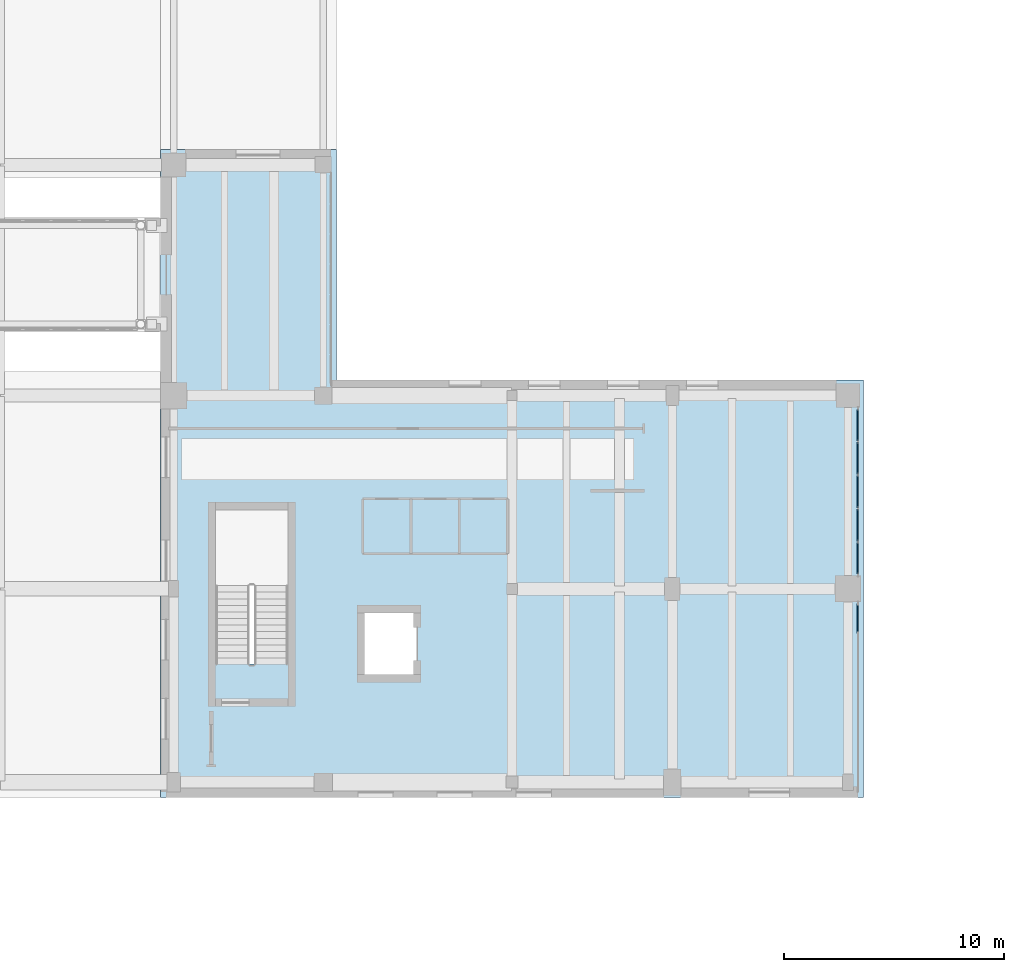
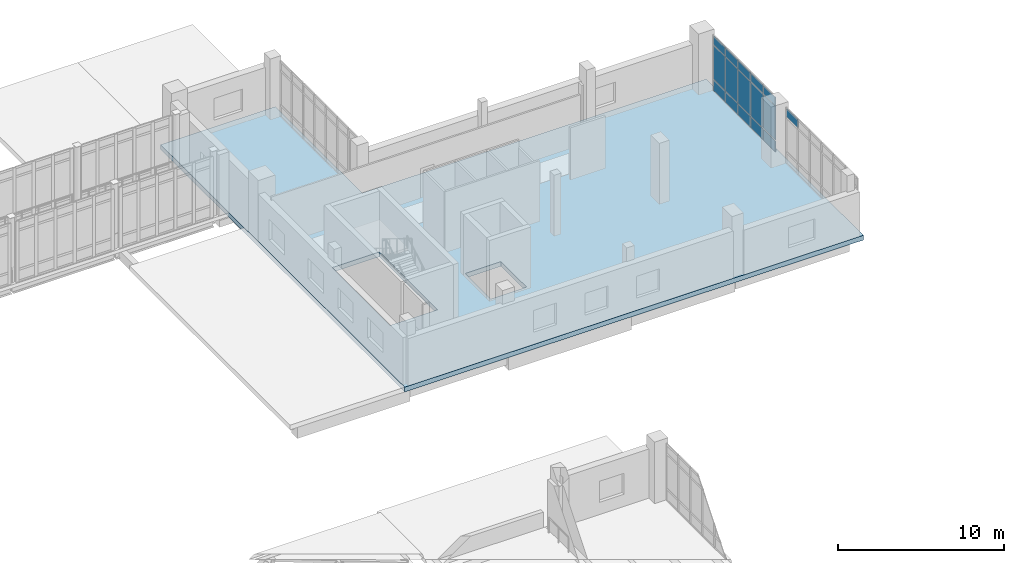
# One storey, part 45 of 75: 16 plates, 1 slab, 2 elements without a shape of their own.
"""IFC4 building model written with IfcOpenShell, lengths in metres."""

from ifc_helpers import new_model, si_unit, direction, frame, origin, origin_2d, place, context, subcontext, project, spatial, polyline, rectangle, outline, extrude, material, layer, layer_set, type_object, element, aggregate, save


model = new_model("IFC4")

# Units and contexts
model_context = context("Model", 3, precision=1e-05, world=origin(), true_north=direction((0.0, 1.0)))
body_context = subcontext(model_context, "Body", "Model", "MODEL_VIEW")
ifc_project = project(units=[si_unit("LENGTHUNIT", "METRE"), si_unit("AREAUNIT", "SQUARE_METRE"), si_unit("VOLUMEUNIT", "CUBIC_METRE"), si_unit("PLANEANGLEUNIT", "RADIAN"), si_unit("MASSUNIT", "GRAM", prefix="KILO")], contexts=[model_context])

# Site, building, storey
site_placement = place(None, origin())
site = spatial("IfcSite", under=ifc_project, at=site_placement, CompositionType="ELEMENT")
building_placement = place(site_placement, origin())
building = spatial("IfcBuilding", under=site, at=building_placement, Name="Soyqirgoq Riverine Aquarium", CompositionType="ELEMENT")
storey_placement = place(building_placement, frame((0.0, 0.0, 10.199951171875)))
storey = spatial("IfcBuildingStorey", under=building, at=storey_placement, Name="L03", CompositionType="ELEMENT", Elevation=10.199951171875)

# Curtain wall, plates
ifc_material_1 = material(Name="Anodised aluminium thermally broken gallery curtain wall", Category="aluminium")
curtain_wall_type = type_object("IfcCurtainWallType", Name="CW_Pavilion_Ribbon", PredefinedType="NOTDEFINED", material=ifc_material_1)
curtain_wall_1_placement = place(storey_placement, origin())
curtain_wall_1 = element("IfcCurtainWall", 1, at=curtain_wall_1_placement, inside=storey, type_object=curtain_wall_type, Name="V7 L03 Curtain Wall 133", PredefinedType="NOTDEFINED")
ifc_material_2 = material(Name="Triple insulated laminated low-E glass", Category="glass")
ifc_layer_1 = layer(ifc_material_2, 0.0458984375)
ifc_layer_set_1 = layer_set([ifc_layer_1], Name="Triple insulated laminated low-E glass")
plate_type = type_object("IfcPlateType", Name="CWGlazedPanel_46", PredefinedType="CURTAIN_PANEL", material=ifc_layer_set_1)
plate_1_placement = place(storey_placement, frame((153.75, 72.95263671875, 0.074951171875), z_axis=(0.0, 0.0, 1.0), x_axis=(0.0, -1.0, 0.0)))
plate_1 = element("IfcPlate", 2, at=plate_1_placement, type_object=plate_type, Name="CW-05 panel 1.1", PredefinedType="CURTAIN_PANEL", context=body_context, shape_type="SweptSolid", body=[
    extrude(rectangle(XDim=1.424560546875, YDim=0.0458984375, at=origin_2d()), origin(), (0.0, 0.0, 1.0), 0.78759765625),
])
plate_2_placement = place(storey_placement, frame((153.75, 72.95263671875, 0.9375), z_axis=(0.0, 0.0, 1.0), x_axis=(0.0, -1.0, 0.0)))
plate_2 = element("IfcPlate", 3, at=plate_2_placement, type_object=plate_type, Name="CW-05 panel 1.2", PredefinedType="CURTAIN_PANEL", context=body_context, shape_type="SweptSolid", body=[
    extrude(rectangle(XDim=1.424560546875, YDim=0.0458984375, at=origin_2d()), origin(), (0.0, 0.0, 1.0), 2.47509765625),
])
plate_3_placement = place(storey_placement, frame((153.75, 72.95263671875, 3.487548828125), z_axis=(0.0, 0.0, 1.0), x_axis=(0.0, -1.0, 0.0)))
plate_3 = element("IfcPlate", 4, at=plate_3_placement, type_object=plate_type, Name="CW-05 panel 1.3", PredefinedType="CURTAIN_PANEL", context=body_context, shape_type="SweptSolid", body=[
    extrude(rectangle(XDim=1.424560546875, YDim=0.0458984375, at=origin_2d()), origin(), (0.0, 0.0, 1.0), 0.58740234375),
])
plate_4_placement = place(storey_placement, frame((153.75, 71.447021484375, 0.074951171875), z_axis=(0.0, 0.0, 1.0), x_axis=(0.0, -1.0, 0.0)))
plate_4 = element("IfcPlate", 5, at=plate_4_placement, type_object=plate_type, Name="CW-05 panel 2.1", PredefinedType="CURTAIN_PANEL", context=body_context, shape_type="SweptSolid", body=[
    extrude(rectangle(XDim=1.45703125, YDim=0.0458984375, at=origin_2d()), origin(), (0.0, 0.0, 1.0), 0.78759765625),
])
plate_5_placement = place(storey_placement, frame((153.75, 71.447021484375, 0.9375), z_axis=(0.0, 0.0, 1.0), x_axis=(0.0, -1.0, 0.0)))
plate_5 = element("IfcPlate", 6, at=plate_5_placement, type_object=plate_type, Name="CW-05 panel 2.2", PredefinedType="CURTAIN_PANEL", context=body_context, shape_type="SweptSolid", body=[
    extrude(rectangle(XDim=1.45703125, YDim=0.0458984375, at=origin_2d()), origin(), (0.0, 0.0, 1.0), 2.47509765625),
])
plate_6_placement = place(storey_placement, frame((153.75, 71.447021484375, 3.487548828125), z_axis=(0.0, 0.0, 1.0), x_axis=(0.0, -1.0, 0.0)))
plate_6 = element("IfcPlate", 7, at=plate_6_placement, type_object=plate_type, Name="CW-05 panel 2.3", PredefinedType="CURTAIN_PANEL", context=body_context, shape_type="SweptSolid", body=[
    extrude(rectangle(XDim=1.45703125, YDim=0.0458984375, at=origin_2d()), origin(), (0.0, 0.0, 1.0), 0.58740234375),
])
plate_7_placement = place(storey_placement, frame((153.75, 69.925048828125, 0.074951171875), z_axis=(0.0, 0.0, 1.0), x_axis=(0.0, -1.0, 0.0)))
plate_7 = element("IfcPlate", 8, at=plate_7_placement, type_object=plate_type, Name="CW-05 panel 3.1", PredefinedType="CURTAIN_PANEL", context=body_context, shape_type="SweptSolid", body=[
    extrude(rectangle(XDim=1.45703125, YDim=0.0458984375, at=origin_2d()), origin(), (0.0, 0.0, 1.0), 0.78759765625),
])
plate_8_placement = place(storey_placement, frame((153.75, 69.925048828125, 0.9375), z_axis=(0.0, 0.0, 1.0), x_axis=(0.0, -1.0, 0.0)))
plate_8 = element("IfcPlate", 9, at=plate_8_placement, type_object=plate_type, Name="CW-05 panel 3.2", PredefinedType="CURTAIN_PANEL", context=body_context, shape_type="SweptSolid", body=[
    extrude(rectangle(XDim=1.45703125, YDim=0.0458984375, at=origin_2d()), origin(), (0.0, 0.0, 1.0), 2.47509765625),
])
plate_9_placement = place(storey_placement, frame((153.75, 69.925048828125, 3.487548828125), z_axis=(0.0, 0.0, 1.0), x_axis=(0.0, -1.0, 0.0)))
plate_9 = element("IfcPlate", 10, at=plate_9_placement, type_object=plate_type, Name="CW-05 panel 3.3", PredefinedType="CURTAIN_PANEL", context=body_context, shape_type="SweptSolid", body=[
    extrude(rectangle(XDim=1.45703125, YDim=0.0458984375, at=origin_2d()), origin(), (0.0, 0.0, 1.0), 0.58740234375),
])
plate_10_placement = place(storey_placement, frame((153.75, 68.403076171875, 0.074951171875), z_axis=(0.0, 0.0, 1.0), x_axis=(0.0, -1.0, 0.0)))
plate_10 = element("IfcPlate", 11, at=plate_10_placement, type_object=plate_type, Name="CW-05 panel 4.1", PredefinedType="CURTAIN_PANEL", context=body_context, shape_type="SweptSolid", body=[
    extrude(rectangle(XDim=1.45703125, YDim=0.0458984375, at=origin_2d()), origin(), (0.0, 0.0, 1.0), 0.78759765625),
])
plate_11_placement = place(storey_placement, frame((153.75, 68.403076171875, 0.9375), z_axis=(0.0, 0.0, 1.0), x_axis=(0.0, -1.0, 0.0)))
plate_11 = element("IfcPlate", 12, at=plate_11_placement, type_object=plate_type, Name="CW-05 panel 4.2", PredefinedType="CURTAIN_PANEL", context=body_context, shape_type="SweptSolid", body=[
    extrude(rectangle(XDim=1.45703125, YDim=0.0458984375, at=origin_2d()), origin(), (0.0, 0.0, 1.0), 2.47509765625),
])
plate_12_placement = place(storey_placement, frame((153.75, 68.403076171875, 3.487548828125), z_axis=(0.0, 0.0, 1.0), x_axis=(0.0, -1.0, 0.0)))
plate_12 = element("IfcPlate", 13, at=plate_12_placement, type_object=plate_type, Name="CW-05 panel 4.3", PredefinedType="CURTAIN_PANEL", context=body_context, shape_type="SweptSolid", body=[
    extrude(rectangle(XDim=1.45703125, YDim=0.0458984375, at=origin_2d()), origin(), (0.0, 0.0, 1.0), 0.58740234375),
])
plate_13_placement = place(storey_placement, frame((153.75, 66.897216796875, 0.074951171875), z_axis=(0.0, 0.0, 1.0), x_axis=(0.0, -1.0, 0.0)))
plate_13 = element("IfcPlate", 14, at=plate_13_placement, type_object=plate_type, Name="CW-05 panel 5.1", PredefinedType="CURTAIN_PANEL", context=body_context, shape_type="SweptSolid", body=[
    extrude(rectangle(XDim=1.424560546875, YDim=0.0458984375, at=origin_2d()), origin(), (0.0, 0.0, 1.0), 0.78759765625),
])
plate_14_placement = place(storey_placement, frame((153.75, 66.897216796875, 0.9375), z_axis=(0.0, 0.0, 1.0), x_axis=(0.0, -1.0, 0.0)))
plate_14 = element("IfcPlate", 15, at=plate_14_placement, type_object=plate_type, Name="CW-05 panel 5.2", PredefinedType="CURTAIN_PANEL", context=body_context, shape_type="SweptSolid", body=[
    extrude(rectangle(XDim=1.424560546875, YDim=0.0458984375, at=origin_2d()), origin(), (0.0, 0.0, 1.0), 2.47509765625),
])
plate_15_placement = place(storey_placement, frame((153.75, 66.897216796875, 3.487548828125), z_axis=(0.0, 0.0, 1.0), x_axis=(0.0, -1.0, 0.0)))
plate_15 = element("IfcPlate", 16, at=plate_15_placement, type_object=plate_type, Name="CW-05 panel 5.3", PredefinedType="CURTAIN_PANEL", context=body_context, shape_type="SweptSolid", body=[
    extrude(rectangle(XDim=1.424560546875, YDim=0.0458984375, at=origin_2d()), origin(), (0.0, 0.0, 1.0), 0.58740234375),
])
aggregate(curtain_wall_1, [plate_1, plate_2, plate_3, plate_4, plate_5, plate_6, plate_7, plate_8, plate_9, plate_10, plate_11, plate_12, plate_13, plate_14, plate_15])

# Curtain wall, plate
curtain_wall_2_placement = place(storey_placement, origin())
curtain_wall_2 = element("IfcCurtainWall", 17, at=curtain_wall_2_placement, inside=storey, type_object=curtain_wall_type, Name="V7 L03 Curtain Wall 134", PredefinedType="NOTDEFINED")
plate_16_placement = place(storey_placement, frame((153.75, 64.14794921875, 3.487548828125), z_axis=(0.0, 0.0, 1.0), x_axis=(0.0, -1.0, 0.0)))
plate_16 = element("IfcPlate", 18, at=plate_16_placement, type_object=plate_type, Name="CW-05 panel 1.3", PredefinedType="CURTAIN_PANEL", context=body_context, shape_type="SweptSolid", body=[
    extrude(rectangle(XDim=1.334228515625, YDim=0.0458984375, at=origin_2d()), origin(), (0.0, 0.0, 1.0), 0.58740234375),
])
aggregate(curtain_wall_2, [plate_16])

# Slab
ifc_material_3 = material(Name="Concrete C40/50", Category="concrete")
ifc_layer_2 = layer(ifc_material_3, 0.35009765625)
ifc_layer_set_2 = layer_set([ifc_layer_2], Name="Concrete C40/50")
slab_type = type_object("IfcSlabType", Name="FloorSlab_350_C40", PredefinedType="FLOOR", material=ifc_layer_set_2)
slab_placement = place(storey_placement, frame((0.0, 0.0, -0.349853515625)))
element("IfcSlab", 19, at=slab_placement, inside=storey, type_object=slab_type, Name="V7 L03 Suspended Floor Slab", PredefinedType="FLOOR", context=body_context, shape_type="SweptSolid", body=[
    extrude(outline(polyline([(122.0, 56.0), (154.0, 56.0), (154.0, 75.0), (130.0, 75.0), (130.0, 85.5), (122.0, 85.5), (122.0, 56.0)]), holes=[polyline([(127.800048828125, 62.074951171875), (127.800048828125, 69.10009765625), (124.5, 69.10009765625), (124.5, 62.074951171875), (127.800048828125, 62.074951171875)]), polyline([(131.14990234375, 61.449951171875), (133.64990234375, 61.449951171875), (133.64990234375, 64.550048828125), (131.14990234375, 64.550048828125), (131.14990234375, 61.449951171875)])]), origin(), (0.0, 0.0, 1.0), 0.349853515625),
])

save(model, "model.ifc")
